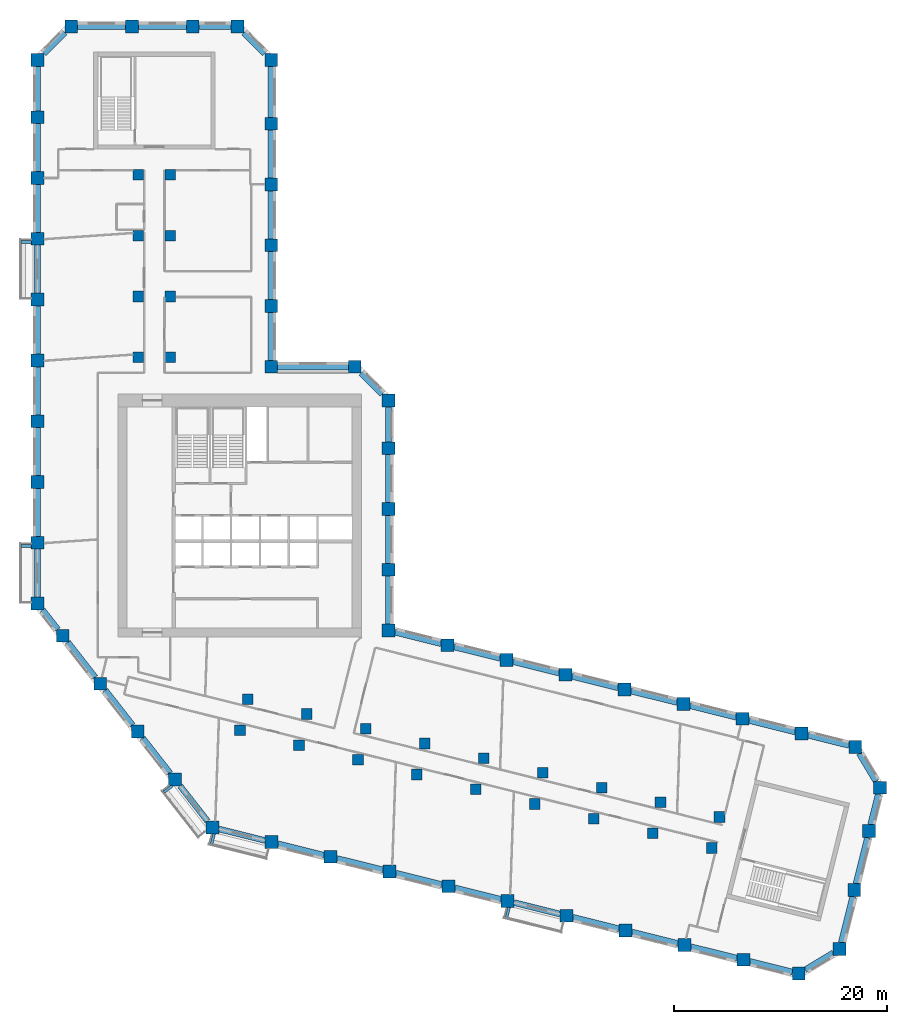
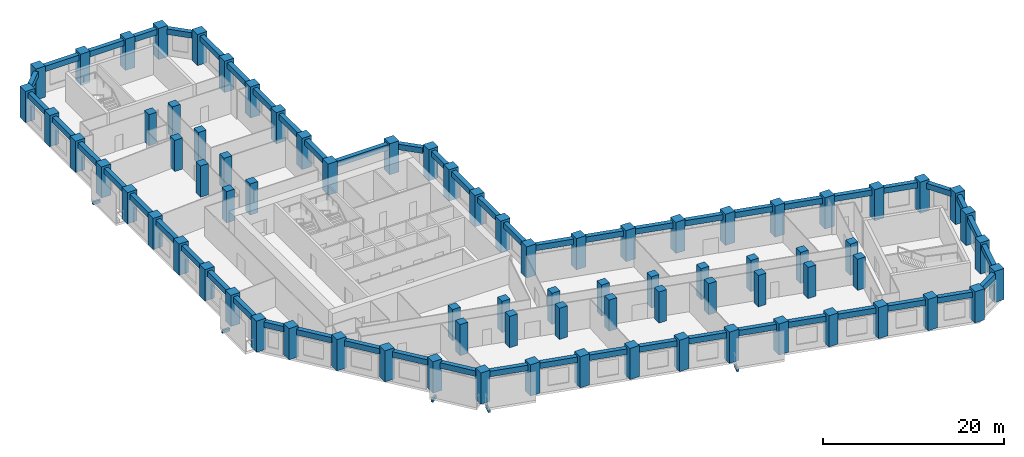
# One storey, part 1 of 10: 79 columns, 58 beams.
"""IFC4 building model written with IfcOpenShell, lengths in metres."""

import ifcopenshell
import ifcopenshell.guid

model = None  # the IFC model being written
_history = None  # IfcOwnerHistory: only IFC2X3 demands one
_inside = {}  # id of a spatial element -> (the spatial element, [elements in it])
_under = {}  # id of a project, library or spatial element -> (it, [spatial elements below it])
_declared = {}  # id of a project -> (the project, [libraries it declares])
_typed = {}  # id of a type object -> (the type object, [elements of that type])
_made_of = {}  # id of a material, layer set ... -> (it, [elements and type objects made of it])


def new_model(schema):
    """Start an empty IFC model of exactly this schema.

    Asked for "IFC4X3", IfcOpenShell would pick the latest addendum, in which some entities
    have other attributes; the version numbers below select the first issue.
    IFC2X3 requires an IfcOwnerHistory on every rooted entity: one is made here for all.
    """
    global model, _history
    if schema == "IFC4X3":
        model = ifcopenshell.file(schema_version=(4, 3, 0, 0))
    else:
        model = ifcopenshell.file(schema=schema)
    _inside.clear()
    _under.clear()
    _declared.clear()
    _typed.clear()
    _made_of.clear()
    _history = None
    if model.schema == "IFC2X3":
        org = make("IfcOrganization", Name="unknown")
        user = make(
            "IfcPersonAndOrganization",
            ThePerson=make("IfcPerson", FamilyName="unknown"),
            TheOrganization=org,
        )
        app = make(
            "IfcApplication",
            ApplicationDeveloper=org,
            Version="unknown",
            ApplicationFullName="unknown",
            ApplicationIdentifier="unknown",
        )
        _history = make(
            "IfcOwnerHistory",
            OwningUser=user,
            OwningApplication=app,
            ChangeAction="ADDED",
            CreationDate=0,
        )
    return model


def make(cls, **values):
    """One entity of the class cls with the attributes given. An attribute that is None is left unset."""
    return model.create_entity(
        cls, **{name: value for name, value in values.items() if value is not None}
    )


def rooted(cls, **values):
    """An entity with a GlobalId (a new one), such as an element, a storey or a relation."""
    return make(cls, GlobalId=ifcopenshell.guid.new(), OwnerHistory=_history, **values)


def si_unit(unit_type, name, prefix=None):
    """IfcSIUnit, for example si_unit("LENGTHUNIT", "METRE", prefix="MILLI")."""
    return make("IfcSIUnit", UnitType=unit_type, Prefix=prefix, Name=name)


def assignment(units):
    """IfcUnitAssignment: the units of a project."""
    return None if units is None else make("IfcUnitAssignment", Units=units)


def point(xyz):
    """IfcCartesianPoint."""
    return None if xyz is None else make("IfcCartesianPoint", Coordinates=xyz)


def direction(xyz):
    """IfcDirection."""
    return None if xyz is None else make("IfcDirection", DirectionRatios=xyz)


def frame(location, z_axis=None, x_axis=None):
    """IfcAxis2Placement3D, a coordinate frame: its origin and axes. An axis left out is left unset."""
    return make(
        "IfcAxis2Placement3D",
        Location=point(location),
        Axis=direction(z_axis),
        RefDirection=direction(x_axis),
    )


def frame_2d(location, x_axis=None):
    """IfcAxis2Placement2D, a coordinate frame in the plane: its origin and x axis."""
    return make(
        "IfcAxis2Placement2D", Location=point(location), RefDirection=direction(x_axis)
    )


def origin():
    """The frame at (0, 0, 0) with its axes left unset."""
    return frame((0.0, 0.0, 0.0))


def origin_2d():
    """The frame at (0, 0) in the plane with its x axis left unset."""
    return frame_2d((0.0, 0.0))


def place(relative_to, where):
    """IfcLocalPlacement: puts the frame where relative to a parent placement (None: the world)."""
    return make(
        "IfcLocalPlacement", PlacementRelTo=relative_to, RelativePlacement=where
    )


def context(
    kind, dimensions, precision=None, world=None, true_north=None, identifier=None
):
    """IfcGeometricRepresentationContext, for example the 3D "Model" context."""
    return make(
        "IfcGeometricRepresentationContext",
        ContextIdentifier=identifier,
        ContextType=kind,
        CoordinateSpaceDimension=dimensions,
        Precision=precision,
        WorldCoordinateSystem=world,
        TrueNorth=true_north,
    )


def subcontext(parent, identifier, kind, view, scale=None):
    """IfcGeometricRepresentationSubContext, for example "Body" below "Model"."""
    return make(
        "IfcGeometricRepresentationSubContext",
        ContextIdentifier=identifier,
        ContextType=kind,
        ParentContext=parent,
        TargetScale=scale,
        TargetView=view,
    )


def project(units=None, contexts=None):
    """IfcProject with its units and contexts."""
    return rooted(
        "IfcProject",
        Name="project",
        RepresentationContexts=contexts,
        UnitsInContext=assignment(units),
    )


def spatial(cls, under=None, at=None, **own):
    """A site, building, storey or space (cls), placed at a placement, below another one or the project."""
    s = rooted(cls, ObjectPlacement=at, **own)
    if under is not None:
        _under.setdefault(under.id(), (under, []))[1].append(s)
    return s


def profile(cls, at=None, kind="AREA", **sizes):
    """A parametric profile (cls). Its sizes go by their IFC names, for example OverallWidth=200.0."""
    return make(cls, ProfileType=kind, Position=at, **sizes)


def rectangle(**sizes):
    """IfcRectangleProfileDef."""
    return profile("IfcRectangleProfileDef", **sizes)


def extrude(swept, where, along, depth):
    """IfcExtrudedAreaSolid: the profile swept, set in the frame where, extruded along a direction by depth."""
    return make(
        "IfcExtrudedAreaSolid",
        SweptArea=swept,
        Position=where,
        ExtrudedDirection=direction(along),
        Depth=depth,
    )


def shape(context_of_items, identifier, shape_type, items):
    """IfcShapeRepresentation: the items that make up one representation, for example the "Body"."""
    return make(
        "IfcShapeRepresentation",
        ContextOfItems=context_of_items,
        RepresentationIdentifier=identifier,
        RepresentationType=shape_type,
        Items=items,
    )


def material(Name=None, Category=None):
    """IfcMaterial."""
    return make("IfcMaterial", Name=Name, Category=Category)


def material_profile(
    of_material, cross_section, Name=None, Category=None, Priority=None
):
    """IfcMaterialProfile: a cross section and its material."""
    return make(
        "IfcMaterialProfile",
        Name=Name,
        Material=of_material,
        Profile=cross_section,
        Priority=Priority,
        Category=Category,
    )


def profile_set(profiles, Name=None, composite=None):
    """IfcMaterialProfileSet."""
    return make(
        "IfcMaterialProfileSet",
        Name=Name,
        MaterialProfiles=profiles,
        CompositeProfile=composite,
    )


def made_of(thing, what):
    """Note that an element or type object is made of a material, layer set ...; save() writes the relation."""
    if what is not None:
        _made_of.setdefault(what.id(), (what, []))[1].append(thing)
    return thing


def type_object(cls, material=None, **own):
    """A type object (cls), such as IfcWallType, which elements share."""
    return made_of(rooted(cls, **own), material)


def element(
    cls,
    number,
    at=None,
    inside=None,
    cuts=None,
    type_object=None,
    material=None,
    context=None,
    identifier="Body",
    shape_type=None,
    held_by="IfcProductDefinitionShape",
    body=None,
    shapes=None,
    **own,
):
    """One element of the class cls, such as IfcWall. Its Tag is "e" and its number.

    at: its placement. inside: the storey or other place that contains it. cuts: it is an
    opening in that element (IfcRelVoidsElement). A single representation is given by context,
    identifier, shape_type and body (its items); several are given by shapes. held_by: the class
    of the entity that holds the representations. save() writes the other relations.
    """
    e = rooted(cls, Tag="e%d" % number, ObjectPlacement=at, **own)
    if body is not None:
        shapes = [shape(context, identifier, shape_type, body)]
    if shapes is not None:
        e.Representation = make(held_by, Representations=shapes)
    if inside is not None:
        _inside.setdefault(inside.id(), (inside, []))[1].append(e)
    if cuts is not None:
        rooted(
            "IfcRelVoidsElement", RelatingBuildingElement=cuts, RelatedOpeningElement=e
        )
    if type_object is not None:
        _typed.setdefault(type_object.id(), (type_object, []))[1].append(e)
    return made_of(e, material)


def aggregate(whole, parts):
    """IfcRelAggregates: a whole, such as a stair, and the parts it consists of."""
    return rooted("IfcRelAggregates", RelatingObject=whole, RelatedObjects=parts)


def save(model, path):
    """Write the relations noted so far, then the file.

    IfcRelAggregates (storeys below a building ...), IfcRelContainedInSpatialStructure (elements
    in a storey), IfcRelDefinesByType, IfcRelAssociatesMaterial and IfcRelDeclares: one each for
    every whole, place, type object, material and project.
    """
    for whole, parts in _under.values():
        aggregate(whole, parts)
    for where, things in _inside.values():
        rooted(
            "IfcRelContainedInSpatialStructure",
            RelatedElements=things,
            RelatingStructure=where,
        )
    for kind, things in _typed.values():
        rooted("IfcRelDefinesByType", RelatedObjects=things, RelatingType=kind)
    for what, things in _made_of.values():
        rooted("IfcRelAssociatesMaterial", RelatedObjects=things, RelatingMaterial=what)
    for by, libraries in _declared.values():
        rooted("IfcRelDeclares", RelatingContext=by, RelatedDefinitions=libraries)
    model.write(path)


model = new_model("IFC4")

# Units and contexts
model_context = context("Model", 3, precision=1e-05, world=origin(), true_north=direction((0.0, 1.0)))
body_context = subcontext(model_context, "Body", "Model", "MODEL_VIEW")
ifc_project = project(units=[si_unit("LENGTHUNIT", "METRE"), si_unit("AREAUNIT", "SQUARE_METRE"), si_unit("VOLUMEUNIT", "CUBIC_METRE"), si_unit("PLANEANGLEUNIT", "RADIAN"), si_unit("MASSUNIT", "GRAM", prefix="KILO")], contexts=[model_context])

# Site, building, storey
site_placement = place(None, origin())
site = spatial("IfcSite", under=ifc_project, at=site_placement, CompositionType="ELEMENT")
building_placement = place(site_placement, origin())
building = spatial("IfcBuilding", under=site, at=building_placement, Name="Meshkara Civic Tower", CompositionType="ELEMENT")
storey_placement = place(building_placement, frame((0.0, 0.0, 169.800048828125)))
storey = spatial("IfcBuildingStorey", under=building, at=storey_placement, Name="L38", CompositionType="ELEMENT", Elevation=169.800048828125)

# Columns
ifc_material_1 = material(Name="Concrete C70", Category="concrete")
ifc_material_profile_1 = material_profile(ifc_material_1, rectangle(XDim=1.0, YDim=1.0, at=origin_2d()))
ifc_profile_set_1 = profile_set([ifc_material_profile_1], Name="Concrete C70")
column_type_1 = type_object("IfcColumnType", Name="Interior column RC 1000x1000 C70", PredefinedType="COLUMN", material=ifc_profile_set_1)
for number, where, z_axis, x_axis, name in (
    (1, (9.89990234375, 40.35009765625, 0.0), (0.0, 0.0, 1.0), (1.0, 0.0, 0.0), "Column SA1-04 L38"),
    (2, (9.89990234375, 46.050048828125, 0.0), (0.0, 0.0, 1.0), (1.0, 0.0, 0.0), "Column SA1-05 L38"),
    (3, (9.89990234375, 51.75, 0.0), (0.0, 0.0, 1.0), (1.0, 0.0, 0.0), "Column SA1-06 L38"),
    (4, (9.89990234375, 57.449951171875, 0.0), (0.0, 0.0, 1.0), (1.0, 0.0, 0.0), "Column SA1-07 L38"),
    (5, (12.89990234375, 40.35009765625, 0.0), (0.0, 0.0, 1.0), (1.0, 0.0, 0.0), "Column SA2-04 L38"),
    (6, (12.89990234375, 46.050048828125, 0.0), (0.0, 0.0, 1.0), (1.0, 0.0, 0.0), "Column SA2-05 L38"),
    (7, (12.89990234375, 51.75, 0.0), (0.0, 0.0, 1.0), (1.0, 0.0, 0.0), "Column SA2-06 L38"),
    (8, (12.89990234375, 57.449951171875, 0.0), (0.0, 0.0, 1.0), (1.0, 0.0, 0.0), "Column SA2-07 L38"),
    (9, (19.424072265625, 5.360107421875, 0.0), (0.0, 0.0, 1.0), (1.0, 0.0, 0.0), "Column SB1-00 L38"),
    (10, (24.9541015625, 3.98095703125, 0.0), (0.0, 0.0, 1.0), (1.0, 0.0, 0.0), "Column SB1-01 L38"),
    (11, (30.485107421875, 2.60205078125, 0.0), (0.0, 0.0, 1.0), (1.0, 0.0, 0.0), "Column SB1-02 L38"),
    (12, (36.01611328125, 1.222900390625, 0.0), (0.0, 0.0, 1.0), (1.0, 0.0, 0.0), "Column SB1-03 L38"),
    (13, (41.5458984375, -0.156005859375, 0.0), (0.0, 0.0, 1.0), (1.0, 0.0, 0.0), "Column SB1-04 L38"),
    (14, (47.076904296875, -1.534912109375, 0.0), (0.0, 0.0, 1.0), (1.0, 0.0, 0.0), "Column SB1-05 L38"),
    (15, (52.60791015625, -2.9140625, 0.0), (0.0, 0.0, 1.0), (1.0, 0.0, 0.0), "Column SB1-06 L38"),
    (16, (58.138916015625, -4.2919921875, 0.0), (0.0, 0.0, 1.0), (1.0, 0.0, 0.0), "Column SB1-07 L38"),
    (17, (63.6689453125, -5.6708984375, 0.0), (0.0, 0.0, 1.0), (1.0, 0.0, 0.0), "Column SB1-08 L38"),
    (18, (20.14892578125, 8.27099609375, 0.0), (0.0, 0.0, 1.0), (1.0, 0.0, 0.0), "Column SB2-00 L38"),
    (19, (25.679931640625, 6.89208984375, 0.0), (0.0, 0.0, 1.0), (1.0, 0.0, 0.0), "Column SB2-01 L38"),
    (20, (31.2109375, 5.512939453125, 0.0), (0.0, 0.0, 1.0), (1.0, 0.0, 0.0), "Column SB2-02 L38"),
    (21, (36.741943359375, 4.134033203125, 0.0), (0.0, 0.0, 1.0), (1.0, 0.0, 0.0), "Column SB2-03 L38"),
    (22, (42.27197265625, 2.7548828125, 0.0), (0.0, 0.0, 1.0), (1.0, 0.0, 0.0), "Column SB2-04 L38"),
    (23, (47.802978515625, 1.3759765625, 0.0), (0.0, 0.0, 1.0), (1.0, 0.0, 0.0), "Column SB2-05 L38"),
    (24, (53.333984375, -0.0029296875, 0.0), (0.0, 0.0, 1.0), (1.0, 0.0, 0.0), "Column SB2-06 L38"),
    (25, (58.864013671875, -1.382080078125, 0.0), (0.0, 0.0, 1.0), (1.0, 0.0, 0.0), "Column SB2-07 L38"),
    (26, (64.39501953125, -2.760986328125, 0.0), (0.0, 0.0, 1.0), (1.0, 0.0, 0.0), "Column SB2-08 L38"),
):
    element("IfcColumn", number, at=place(storey_placement, frame(where, z_axis=z_axis, x_axis=x_axis)), inside=storey, type_object=column_type_1, Name=name, PredefinedType="COLUMN", context=body_context, shape_type="SweptSolid", body=[
        extrude(rectangle(XDim=1.0, YDim=1.0, at=origin_2d()), origin(), (0.0, 0.0, 1.0), 4.199951171875),
    ])
ifc_material_2 = material(Name="Concrete C70", Category="concrete")
ifc_material_profile_2 = material_profile(ifc_material_2, rectangle(XDim=1.199951171875, YDim=1.199951171875, at=origin_2d()))
ifc_profile_set_2 = profile_set([ifc_material_profile_2], Name="Concrete C70")
column_type_2 = type_object("IfcColumnType", Name="Perimeter column RC 1200x1200 C70", PredefinedType="COLUMN", material=ifc_profile_set_2)
for number, where, z_axis, x_axis, name in (
    (27, (33.35009765625, 14.718994140625, 0.0), (0.0, 0.0, 1.0), (1.0, 0.0, 0.0), "Column HE00 L38"),
    (28, (33.35009765625, 20.4189453125, 0.0), (0.0, 0.0, 1.0), (1.0, 0.0, 0.0), "Column HE01 L38"),
    (29, (33.35009765625, 26.118896484375, 0.0), (0.0, 0.0, 1.0), (1.0, 0.0, 0.0), "Column HE02 L38"),
    (30, (33.35009765625, 31.819091796875, 0.0), (0.0, 0.0, 1.0), (1.0, 0.0, 0.0), "Column HE03 L38"),
    (31, (33.35009765625, 36.2939453125, 0.0), (0.0, 0.0, 1.0), (1.0, 0.0, 0.0), "Column HEE L38"),
    (32, (30.194091796875, 39.449951171875, 0.0), (0.0, 0.0, 1.0), (1.0, 0.0, 0.0), "Column HCeE L38"),
    (33, (22.35009765625, 39.449951171875, 0.0), (0.0, 0.0, 1.0), (1.0, 0.0, 0.0), "Column HN00 L38"),
    (34, (22.35009765625, 45.14990234375, 0.0), (0.0, 0.0, 1.0), (1.0, 0.0, 0.0), "Column AE01 L38"),
    (35, (22.35009765625, 50.85009765625, 0.0), (0.0, 0.0, 1.0), (1.0, 0.0, 0.0), "Column AE02 L38"),
    (36, (22.35009765625, 56.550048828125, 0.0), (0.0, 0.0, 1.0), (1.0, 0.0, 0.0), "Column AE03 L38"),
    (37, (22.35009765625, 62.25, 0.0), (0.0, 0.0, 1.0), (1.0, 0.0, 0.0), "Column AE04 L38"),
    (38, (22.35009765625, 68.214111328125, 0.0), (0.0, 0.0, 1.0), (1.0, 0.0, 0.0), "Column AEEP2 L38"),
    (39, (19.194091796875, 71.3701171875, 0.0), (0.0, 0.0, 1.0), (1.0, 0.0, 0.0), "Column ATiEP2 L38"),
    (40, (3.60595703125, 71.3701171875, 0.0), (0.0, 0.0, 1.0), (1.0, 0.0, 0.0), "Column AT00-P2 L38"),
    (41, (9.305908203125, 71.3701171875, 0.0), (0.0, 0.0, 1.0), (1.0, 0.0, 0.0), "Column AT01-P2 L38"),
    (42, (15.006103515625, 71.3701171875, 0.0), (0.0, 0.0, 1.0), (1.0, 0.0, 0.0), "Column AT02-P2 L38"),
    (43, (0.449951171875, 68.214111328125, 0.0), (0.0, 0.0, 1.0), (1.0, 0.0, 0.0), "Column ATo00-P2 L38"),
    (44, (0.449951171875, 17.2548828125, 0.0), (0.0, 0.0, 1.0), (1.0, 0.0, 0.0), "Column AW00 L38"),
    (45, (0.449951171875, 22.955078125, 0.0), (0.0, 0.0, 1.0), (1.0, 0.0, 0.0), "Column AW01 L38"),
    (46, (0.449951171875, 28.655029296875, 0.0), (0.0, 0.0, 1.0), (1.0, 0.0, 0.0), "Column AW02 L38"),
    (47, (0.449951171875, 34.35498046875, 0.0), (0.0, 0.0, 1.0), (1.0, 0.0, 0.0), "Column AW03 L38"),
    (48, (0.449951171875, 40.054931640625, 0.0), (0.0, 0.0, 1.0), (1.0, 0.0, 0.0), "Column AW04 L38"),
    (49, (0.449951171875, 45.7548828125, 0.0), (0.0, 0.0, 1.0), (1.0, 0.0, 0.0), "Column AW05 L38"),
    (50, (0.449951171875, 51.455078125, 0.0), (0.0, 0.0, 1.0), (1.0, 0.0, 0.0), "Column AW06 L38"),
    (51, (0.449951171875, 57.155029296875, 0.0), (0.0, 0.0, 1.0), (1.0, 0.0, 0.0), "Column AW07 L38"),
    (52, (0.449951171875, 62.85498046875, 0.0), (0.0, 0.0, 1.0), (1.0, 0.0, 0.0), "Column AW08 L38"),
    (53, (16.85107421875, -3.738037109375, 0.0), (0.0, 0.0, 1.0), (1.0, 0.0, 0.0), "Column BOW00 L38"),
    (54, (13.342041015625, 0.75390625, 0.0), (0.0, 0.0, 1.0), (1.0, 0.0, 0.0), "Column BOW01 L38"),
    (55, (9.8330078125, 5.2451171875, 0.0), (0.0, 0.0, 1.0), (1.0, 0.0, 0.0), "Column BOW02 L38"),
    (56, (6.322998046875, 9.737060546875, 0.0), (0.0, 0.0, 1.0), (1.0, 0.0, 0.0), "Column BOW03 L38"),
    (57, (2.81396484375, 14.22900390625, 0.0), (0.0, 0.0, 1.0), (1.0, 0.0, 0.0), "Column BOW04 L38"),
    (58, (22.382080078125, -5.116943359375, 0.0), (0.0, 0.0, 1.0), (1.0, 0.0, 0.0), "Column BS01 L38"),
    (59, (27.912109375, -6.49609375, 0.0), (0.0, 0.0, 1.0), (1.0, 0.0, 0.0), "Column BS02 L38"),
    (60, (33.443115234375, -7.875, 0.0), (0.0, 0.0, 1.0), (1.0, 0.0, 0.0), "Column BS03 L38"),
    (61, (38.97412109375, -9.2529296875, 0.0), (0.0, 0.0, 1.0), (1.0, 0.0, 0.0), "Column BS04-P1 L38"),
    (62, (44.5048828125, -10.632080078125, 0.0), (0.0, 0.0, 1.0), (1.0, 0.0, 0.0), "Column BS05 L38"),
    (63, (50.034912109375, -12.010986328125, 0.0), (0.0, 0.0, 1.0), (1.0, 0.0, 0.0), "Column BS06 L38"),
    (64, (55.56591796875, -13.389892578125, 0.0), (0.0, 0.0, 1.0), (1.0, 0.0, 0.0), "Column BS07 L38"),
    (65, (61.096923828125, -14.76904296875, 0.0), (0.0, 0.0, 1.0), (1.0, 0.0, 0.0), "Column BS08 L38"),
    (66, (66.626953125, -16.14794921875, 0.0), (0.0, 0.0, 1.0), (1.0, 0.0, 0.0), "Column BS09 L38"),
    (67, (71.826904296875, -17.444091796875, 0.0), (0.0, 0.0, 1.0), (1.0, 0.0, 0.0), "Column BSEP2 L38"),
    (68, (75.653076171875, -15.14501953125, 0.0), (0.0, 0.0, 1.0), (1.0, 0.0, 0.0), "Column BToEP2 L38"),
    (69, (77.031982421875, -9.614013671875, 0.0), (0.0, 0.0, 1.0), (1.0, 0.0, 0.0), "Column BT01-P2 L38"),
    (70, (78.410888671875, -4.083984375, 0.0), (0.0, 0.0, 1.0), (1.0, 0.0, 0.0), "Column BT02-P2 L38"),
    (71, (79.424072265625, -0.02099609375, 0.0), (0.0, 0.0, 1.0), (1.0, 0.0, 0.0), "Column BTEP2 L38"),
    (72, (77.125, 3.803955078125, 0.0), (0.0, 0.0, 1.0), (1.0, 0.0, 0.0), "Column BTi00-P2 L38"),
    (73, (38.881103515625, 13.340087890625, 0.0), (0.0, 0.0, 1.0), (1.0, 0.0, 0.0), "Column BN01 L38"),
    (74, (44.410888671875, 11.9609375, 0.0), (0.0, 0.0, 1.0), (1.0, 0.0, 0.0), "Column BN02 L38"),
    (75, (49.94189453125, 10.58203125, 0.0), (0.0, 0.0, 1.0), (1.0, 0.0, 0.0), "Column BN03 L38"),
    (76, (55.472900390625, 9.202880859375, 0.0), (0.0, 0.0, 1.0), (1.0, 0.0, 0.0), "Column BN04 L38"),
    (77, (61.0029296875, 7.823974609375, 0.0), (0.0, 0.0, 1.0), (1.0, 0.0, 0.0), "Column BN05 L38"),
    (78, (66.533935546875, 6.445068359375, 0.0), (0.0, 0.0, 1.0), (1.0, 0.0, 0.0), "Column BN06 L38"),
    (79, (72.06494140625, 5.06591796875, 0.0), (0.0, 0.0, 1.0), (1.0, 0.0, 0.0), "Column BN07 L38"),
):
    element("IfcColumn", number, at=place(storey_placement, frame(where, z_axis=z_axis, x_axis=x_axis)), inside=storey, type_object=column_type_2, Name=name, PredefinedType="COLUMN", context=body_context, shape_type="SweptSolid", body=[
        extrude(rectangle(XDim=1.199951171875, YDim=1.199951171875, at=origin_2d()), origin(), (0.0, 0.0, 1.0), 4.199951171875),
    ])

# Beams
ifc_material_3 = material(Name="Concrete C50", Category="concrete")
ifc_material_profile_3 = material_profile(ifc_material_3, rectangle(XDim=0.25, YDim=0.39990234375, at=origin_2d()))
ifc_profile_set_3 = profile_set([ifc_material_profile_3], Name="Concrete C50")
beam_type_1 = type_object("IfcBeamType", Name="Balcony bracket beam RC 250x400 C50", PredefinedType="BEAM", material=ifc_profile_set_3)
for number, where, z_axis, x_axis, name in (
    (80, (-0.14501953125, 51.155029296875, -0.5), (-1.0, 0.0, 0.0), (0.0, -1.0, 0.0), "Balcony bracket beam"),
    (81, (-0.14501953125, 22.655029296875, -0.5), (-1.0, 0.0, 0.0), (0.0, -1.0, 0.0), "Balcony bracket beam"),
):
    element("IfcBeam", number, at=place(storey_placement, frame(where, z_axis=z_axis, x_axis=x_axis)), inside=storey, type_object=beam_type_1, Name=name, PredefinedType="BEAM", context=body_context, shape_type="SweptSolid", body=[
        extrude(rectangle(XDim=0.25, YDim=0.39990234375, at=origin_2d()), origin(), (0.0, 0.0, 1.0), 0.955078125),
    ])
beam_1_placement = place(storey_placement, frame((13.06494140625, 0.156982421875, -0.5), z_axis=(-0.787905405849, -0.615796290533, 0.0), x_axis=(0.615796290533, -0.787905405849, 0.0)))
element("IfcBeam", 82, at=beam_1_placement, inside=storey, type_object=beam_type_1, Name="Balcony bracket beam", PredefinedType="BEAM", context=body_context, shape_type="SweptSolid", body=[
    extrude(rectangle(XDim=0.25, YDim=0.39990234375, at=origin_2d()), origin(), (0.0, 0.0, 1.0), 0.964599609375),
])
beam_2_placement = place(storey_placement, frame((17.011962890625, -4.3330078125, -0.5), z_axis=(-0.242194710816, -0.970227665063, 0.0), x_axis=(0.970227665063, -0.242194710816, 0.0)))
element("IfcBeam", 83, at=beam_2_placement, inside=storey, type_object=beam_type_1, Name="Balcony bracket beam", PredefinedType="BEAM", context=body_context, shape_type="SweptSolid", body=[
    extrude(rectangle(XDim=0.25, YDim=0.39990234375, at=origin_2d()), origin(), (0.0, 0.0, 1.0), 1.010986328125),
])
beam_3_placement = place(storey_placement, frame((44.666015625, -11.22705078125, -0.5), z_axis=(-0.24219504991, -0.970227580416, 0.0), x_axis=(0.970227580416, -0.24219504991, 0.0)))
element("IfcBeam", 84, at=beam_3_placement, inside=storey, type_object=beam_type_1, Name="Balcony bracket beam", PredefinedType="BEAM", context=body_context, shape_type="SweptSolid", body=[
    extrude(rectangle(XDim=0.25, YDim=0.39990234375, at=origin_2d()), origin(), (0.0, 0.0, 1.0), 1.011962890625),
])
ifc_material_4 = material(Name="Concrete C60", Category="concrete")
ifc_material_profile_4 = material_profile(ifc_material_4, rectangle(XDim=0.550048828125, YDim=0.75, at=origin_2d()))
ifc_profile_set_4 = profile_set([ifc_material_profile_4], Name="Concrete C60")
beam_type_2 = type_object("IfcBeamType", Name="Spandrel beam RC 550x750 C60", PredefinedType="BEAM", material=ifc_profile_set_4)
for number, where, z_axis, x_axis, name in (
    (85, (71.469970703125, 5.21435546875, 3.52490234375), (-0.970296390995, 0.241919229543, 0.0), (-0.241919229543, -0.970296390995, 0.0), "Spandrel beam BN06-BN07"),
    (86, (65.93896484375, 6.593505859375, 3.52490234375), (-0.970309199754, 0.241867850018, 0.0), (-0.241867850018, -0.970309199754, 0.0), "Spandrel beam BN05-BN06"),
):
    element("IfcBeam", number, at=place(storey_placement, frame(where, z_axis=z_axis, x_axis=x_axis)), inside=storey, type_object=beam_type_2, Name=name, PredefinedType="BEAM", context=body_context, shape_type="SweptSolid", body=[
        extrude(rectangle(XDim=0.550048828125, YDim=0.75, at=origin_2d()), origin(), (0.0, 0.0, 1.0), 4.4736328125),
    ])
beam_4_placement = place(storey_placement, frame((60.407958984375, 7.972412109375, 3.52490234375), z_axis=(-0.970283611566, 0.241970479865, 0.0), x_axis=(-0.241970479865, -0.970283611566, 0.0)))
element("IfcBeam", 87, at=beam_4_placement, inside=storey, type_object=beam_type_2, Name="Spandrel beam BN04-BN05", PredefinedType="BEAM", context=body_context, shape_type="SweptSolid", body=[
    extrude(rectangle(XDim=0.550048828125, YDim=0.75, at=origin_2d()), origin(), (0.0, 0.0, 1.0), 4.47265625),
])
for number, where, z_axis, x_axis, name in (
    (88, (54.8779296875, 9.351318359375, 3.52490234375), (-0.970296390995, 0.241919229543, 0.0), (-0.241919229543, -0.970296390995, 0.0), "Spandrel beam BN03-BN04"),
    (89, (49.346923828125, 10.73046875, 3.52490234375), (-0.970309199754, 0.241867850018, 0.0), (-0.241867850018, -0.970309199754, 0.0), "Spandrel beam BN02-BN03"),
):
    element("IfcBeam", number, at=place(storey_placement, frame(where, z_axis=z_axis, x_axis=x_axis)), inside=storey, type_object=beam_type_2, Name=name, PredefinedType="BEAM", context=body_context, shape_type="SweptSolid", body=[
        extrude(rectangle(XDim=0.550048828125, YDim=0.75, at=origin_2d()), origin(), (0.0, 0.0, 1.0), 4.4736328125),
    ])
beam_5_placement = place(storey_placement, frame((43.81591796875, 12.109375, 3.52490234375), z_axis=(-0.970283611566, 0.241970479865, 0.0), x_axis=(-0.241970479865, -0.970283611566, 0.0)))
element("IfcBeam", 90, at=beam_5_placement, inside=storey, type_object=beam_type_2, Name="Spandrel beam BN01-BN02", PredefinedType="BEAM", context=body_context, shape_type="SweptSolid", body=[
    extrude(rectangle(XDim=0.550048828125, YDim=0.75, at=origin_2d()), origin(), (0.0, 0.0, 1.0), 4.47265625),
])
beam_6_placement = place(storey_placement, frame((38.285888671875, 13.48828125, 3.52490234375), z_axis=(-0.970296390995, 0.241919229543, 0.0), x_axis=(-0.241919229543, -0.970296390995, 0.0)))
element("IfcBeam", 91, at=beam_6_placement, inside=storey, type_object=beam_type_2, Name="Spandrel beam BN01-HE00", PredefinedType="BEAM", context=body_context, shape_type="SweptSolid", body=[
    extrude(rectangle(XDim=0.550048828125, YDim=0.75, at=origin_2d()), origin(), (0.0, 0.0, 1.0), 4.4736328125),
])
for number, where, z_axis, x_axis, name in (
    (92, (33.35009765625, 15.31396484375, 3.52490234375), (0.0, 1.0, 0.0), (-1.0, 0.0, 0.0), "Spandrel beam HE00-HE01"),
    (93, (33.35009765625, 21.013916015625, 3.52490234375), (0.0, 1.0, 0.0), (-1.0, 0.0, 0.0), "Spandrel beam HE01-HE02"),
    (94, (33.35009765625, 26.714111328125, 3.52490234375), (0.0, 1.0, 0.0), (-1.0, 0.0, 0.0), "Spandrel beam HE02-HE03"),
):
    element("IfcBeam", number, at=place(storey_placement, frame(where, z_axis=z_axis, x_axis=x_axis)), inside=storey, type_object=beam_type_2, Name=name, PredefinedType="BEAM", context=body_context, shape_type="SweptSolid", body=[
        extrude(rectangle(XDim=0.550048828125, YDim=0.75, at=origin_2d()), origin(), (0.0, 0.0, 1.0), 4.510009765625),
    ])
beam_7_placement = place(storey_placement, frame((33.35009765625, 32.4140625, 3.52490234375), z_axis=(0.0, 1.0, 0.0), x_axis=(-1.0, 0.0, 0.0)))
element("IfcBeam", 95, at=beam_7_placement, inside=storey, type_object=beam_type_2, Name="Spandrel beam HE03-HEE", PredefinedType="BEAM", context=body_context, shape_type="SweptSolid", body=[
    extrude(rectangle(XDim=0.550048828125, YDim=0.75, at=origin_2d()), origin(), (0.0, 0.0, 1.0), 3.284912109375),
])
beam_8_placement = place(storey_placement, frame((32.75341796875, 36.890380859375, 3.52490234375), z_axis=(-0.707062808252, 0.707150751387, 0.0), x_axis=(-0.707150751387, -0.707062808252, 0.0)))
element("IfcBeam", 96, at=beam_8_placement, inside=storey, type_object=beam_type_2, Name="Spandrel beam HCeE-HEE", PredefinedType="BEAM", context=body_context, shape_type="SweptSolid", body=[
    extrude(rectangle(XDim=0.550048828125, YDim=0.75, at=origin_2d()), origin(), (0.0, 0.0, 1.0), 2.776123046875),
])
beam_9_placement = place(storey_placement, frame((29.59912109375, 39.449951171875, 3.52490234375), z_axis=(-1.0, 0.0, 0.0), x_axis=(0.0, -1.0, 0.0)))
element("IfcBeam", 97, at=beam_9_placement, inside=storey, type_object=beam_type_2, Name="Spandrel beam HCeE-HN00", PredefinedType="BEAM", context=body_context, shape_type="SweptSolid", body=[
    extrude(rectangle(XDim=0.550048828125, YDim=0.75, at=origin_2d()), origin(), (0.0, 0.0, 1.0), 6.654052734375),
])
beam_10_placement = place(storey_placement, frame((22.35009765625, 40.044921875, 3.52490234375), z_axis=(0.0, 1.0, 0.0), x_axis=(-1.0, 0.0, 0.0)))
element("IfcBeam", 98, at=beam_10_placement, inside=storey, type_object=beam_type_2, Name="Spandrel beam AE01-HN00", PredefinedType="BEAM", context=body_context, shape_type="SweptSolid", body=[
    extrude(rectangle(XDim=0.550048828125, YDim=0.75, at=origin_2d()), origin(), (0.0, 0.0, 1.0), 4.510009765625),
])
beam_11_placement = place(storey_placement, frame((22.35009765625, 45.7451171875, 3.52490234375), z_axis=(0.0, 1.0, 0.0), x_axis=(-1.0, 0.0, 0.0)))
element("IfcBeam", 99, at=beam_11_placement, inside=storey, type_object=beam_type_2, Name="Spandrel beam AE01-AE02", PredefinedType="BEAM", context=body_context, shape_type="SweptSolid", body=[
    extrude(rectangle(XDim=0.550048828125, YDim=0.75, at=origin_2d()), origin(), (0.0, 0.0, 1.0), 4.509765625),
])
for number, where, z_axis, x_axis, name in (
    (100, (22.35009765625, 51.445068359375, 3.52490234375), (0.0, 1.0, 0.0), (-1.0, 0.0, 0.0), "Spandrel beam AE02-AE03"),
    (101, (22.35009765625, 57.14501953125, 3.52490234375), (0.0, 1.0, 0.0), (-1.0, 0.0, 0.0), "Spandrel beam AE03-AE04"),
):
    element("IfcBeam", number, at=place(storey_placement, frame(where, z_axis=z_axis, x_axis=x_axis)), inside=storey, type_object=beam_type_2, Name=name, PredefinedType="BEAM", context=body_context, shape_type="SweptSolid", body=[
        extrude(rectangle(XDim=0.550048828125, YDim=0.75, at=origin_2d()), origin(), (0.0, 0.0, 1.0), 4.510009765625),
    ])
beam_12_placement = place(storey_placement, frame((22.35009765625, 62.844970703125, 3.52490234375), z_axis=(0.0, 1.0, 0.0), x_axis=(-1.0, 0.0, 0.0)))
element("IfcBeam", 102, at=beam_12_placement, inside=storey, type_object=beam_type_2, Name="Spandrel beam AE04-AEEP2", PredefinedType="BEAM", context=body_context, shape_type="SweptSolid", body=[
    extrude(rectangle(XDim=0.550048828125, YDim=0.75, at=origin_2d()), origin(), (0.0, 0.0, 1.0), 4.77392578125),
])
beam_13_placement = place(storey_placement, frame((21.75341796875, 68.810546875, 3.52490234375), z_axis=(-0.707106781187, 0.707106781187, 0.0), x_axis=(-0.707106781187, -0.707106781187, 0.0)))
element("IfcBeam", 103, at=beam_13_placement, inside=storey, type_object=beam_type_2, Name="Spandrel beam AEEP2-ATiEP2", PredefinedType="BEAM", context=body_context, shape_type="SweptSolid", body=[
    extrude(rectangle(XDim=0.550048828125, YDim=0.75, at=origin_2d()), origin(), (0.0, 0.0, 1.0), 2.77587890625),
])
beam_14_placement = place(storey_placement, frame((18.59912109375, 71.3701171875, 3.52490234375), z_axis=(-1.0, 0.0, 0.0), x_axis=(0.0, -1.0, 0.0)))
element("IfcBeam", 104, at=beam_14_placement, inside=storey, type_object=beam_type_2, Name="Spandrel beam AT02-P2-ATiEP2", PredefinedType="BEAM", context=body_context, shape_type="SweptSolid", body=[
    extrude(rectangle(XDim=0.550048828125, YDim=0.75, at=origin_2d()), origin(), (0.0, 0.0, 1.0), 2.998046875),
])
for number, where, z_axis, x_axis, name in (
    (105, (14.410888671875, 71.3701171875, 3.52490234375), (-1.0, 0.0, 0.0), (0.0, -1.0, 0.0), "Spandrel beam AT01-P2-AT02-P2"),
    (106, (8.7109375, 71.3701171875, 3.52490234375), (-1.0, 0.0, 0.0), (0.0, -1.0, 0.0), "Spandrel beam AT00-P2-AT01-P2"),
):
    element("IfcBeam", number, at=place(storey_placement, frame(where, z_axis=z_axis, x_axis=x_axis)), inside=storey, type_object=beam_type_2, Name=name, PredefinedType="BEAM", context=body_context, shape_type="SweptSolid", body=[
        extrude(rectangle(XDim=0.550048828125, YDim=0.75, at=origin_2d()), origin(), (0.0, 0.0, 1.0), 4.510009765625),
    ])
beam_15_placement = place(storey_placement, frame((3.009521484375, 70.7734375, 3.52490234375), z_axis=(-0.707150751387, -0.707062808252, 0.0), x_axis=(0.707062808252, -0.707150751387, 0.0)))
element("IfcBeam", 107, at=beam_15_placement, inside=storey, type_object=beam_type_2, Name="Spandrel beam AT00-P2-ATo00-P2", PredefinedType="BEAM", context=body_context, shape_type="SweptSolid", body=[
    extrude(rectangle(XDim=0.550048828125, YDim=0.75, at=origin_2d()), origin(), (0.0, 0.0, 1.0), 2.776123046875),
])
beam_16_placement = place(storey_placement, frame((0.449951171875, 67.618896484375, 3.52490234375), z_axis=(0.0, -1.0, 0.0), x_axis=(1.0, 0.0, 0.0)))
element("IfcBeam", 108, at=beam_16_placement, inside=storey, type_object=beam_type_2, Name="Spandrel beam ATo00-P2-AW08", PredefinedType="BEAM", context=body_context, shape_type="SweptSolid", body=[
    extrude(rectangle(XDim=0.550048828125, YDim=0.75, at=origin_2d()), origin(), (0.0, 0.0, 1.0), 4.1689453125),
])
for number, where, z_axis, x_axis, name in (
    (109, (0.449951171875, 62.260009765625, 3.52490234375), (0.0, -1.0, 0.0), (1.0, 0.0, 0.0), "Spandrel beam AW07-AW08"),
    (110, (0.449951171875, 56.56005859375, 3.52490234375), (0.0, -1.0, 0.0), (1.0, 0.0, 0.0), "Spandrel beam AW06-AW07"),
    (111, (0.449951171875, 50.860107421875, 3.52490234375), (0.0, -1.0, 0.0), (1.0, 0.0, 0.0), "Spandrel beam AW05-AW06"),
    (112, (0.449951171875, 45.159912109375, 3.52490234375), (0.0, -1.0, 0.0), (1.0, 0.0, 0.0), "Spandrel beam AW04-AW05"),
    (113, (0.449951171875, 39.4599609375, 3.52490234375), (0.0, -1.0, 0.0), (1.0, 0.0, 0.0), "Spandrel beam AW03-AW04"),
    (114, (0.449951171875, 33.760009765625, 3.52490234375), (0.0, -1.0, 0.0), (1.0, 0.0, 0.0), "Spandrel beam AW02-AW03"),
    (115, (0.449951171875, 28.06005859375, 3.52490234375), (0.0, -1.0, 0.0), (1.0, 0.0, 0.0), "Spandrel beam AW01-AW02"),
    (116, (0.449951171875, 22.360107421875, 3.52490234375), (0.0, -1.0, 0.0), (1.0, 0.0, 0.0), "Spandrel beam AW00-AW01"),
):
    element("IfcBeam", number, at=place(storey_placement, frame(where, z_axis=z_axis, x_axis=x_axis)), inside=storey, type_object=beam_type_2, Name=name, PredefinedType="BEAM", context=body_context, shape_type="SweptSolid", body=[
        extrude(rectangle(XDim=0.550048828125, YDim=0.75, at=origin_2d()), origin(), (0.0, 0.0, 1.0), 4.510009765625),
    ])
beam_17_placement = place(storey_placement, frame((0.915771484375, 16.658935546875, 3.52490234375), z_axis=(0.615646077935, -0.788022783124, 0.0), x_axis=(0.788022783124, 0.615646077935, 0.0)))
element("IfcBeam", 117, at=beam_17_placement, inside=storey, type_object=beam_type_2, Name="Spandrel beam AW00-BOW04", PredefinedType="BEAM", context=body_context, shape_type="SweptSolid", body=[
    extrude(rectangle(XDim=0.550048828125, YDim=0.75, at=origin_2d()), origin(), (0.0, 0.0, 1.0), 2.326904296875),
])
beam_18_placement = place(storey_placement, frame((3.279541015625, 13.6328125, 3.52490234375), z_axis=(0.615630464754, -0.788034980738, 0.0), x_axis=(0.788034980738, 0.615630464754, 0.0)))
element("IfcBeam", 118, at=beam_18_placement, inside=storey, type_object=beam_type_2, Name="Spandrel beam BOW03-BOW04", PredefinedType="BEAM", context=body_context, shape_type="SweptSolid", body=[
    extrude(rectangle(XDim=0.550048828125, YDim=0.75, at=origin_2d()), origin(), (0.0, 0.0, 1.0), 4.1875),
])
beam_19_placement = place(storey_placement, frame((6.788818359375, 9.140869140625, 3.52490234375), z_axis=(0.61570287025, -0.787978410596, 0.0), x_axis=(0.787978410596, 0.61570287025, 0.0)))
element("IfcBeam", 119, at=beam_19_placement, inside=storey, type_object=beam_type_2, Name="Spandrel beam BOW02-BOW03", PredefinedType="BEAM", context=body_context, shape_type="SweptSolid", body=[
    extrude(rectangle(XDim=0.550048828125, YDim=0.75, at=origin_2d()), origin(), (0.0, 0.0, 1.0), 4.187744140625),
])
beam_20_placement = place(storey_placement, frame((10.298583984375, 4.64892578125, 3.52490234375), z_axis=(0.615707413829, -0.787974860358, 0.0), x_axis=(0.787974860358, 0.615707413829, 0.0)))
element("IfcBeam", 120, at=beam_20_placement, inside=storey, type_object=beam_type_2, Name="Spandrel beam BOW01-BOW02", PredefinedType="BEAM", context=body_context, shape_type="SweptSolid", body=[
    extrude(rectangle(XDim=0.550048828125, YDim=0.75, at=origin_2d()), origin(), (0.0, 0.0, 1.0), 4.1865234375),
])
beam_21_placement = place(storey_placement, frame((13.8076171875, 0.157958984375, 3.52490234375), z_axis=(0.615630464754, -0.788034980738, 0.0), x_axis=(0.788034980738, 0.615630464754, 0.0)))
element("IfcBeam", 121, at=beam_21_placement, inside=storey, type_object=beam_type_2, Name="Spandrel beam BOW00-BOW01", PredefinedType="BEAM", context=body_context, shape_type="SweptSolid", body=[
    extrude(rectangle(XDim=0.550048828125, YDim=0.75, at=origin_2d()), origin(), (0.0, 0.0, 1.0), 4.1875),
])
beam_22_placement = place(storey_placement, frame((17.446044921875, -3.886474609375, 3.52490234375), z_axis=(0.970309199754, -0.241867850018, 0.0), x_axis=(0.241867850018, 0.970309199754, 0.0)))
element("IfcBeam", 122, at=beam_22_placement, inside=storey, type_object=beam_type_2, Name="Spandrel beam BOW00-BS01", PredefinedType="BEAM", context=body_context, shape_type="SweptSolid", body=[
    extrude(rectangle(XDim=0.550048828125, YDim=0.75, at=origin_2d()), origin(), (0.0, 0.0, 1.0), 4.4736328125),
])
beam_23_placement = place(storey_placement, frame((22.97705078125, -5.265380859375, 3.52490234375), z_axis=(0.970283611566, -0.241970479865, 0.0), x_axis=(0.241970479865, 0.970283611566, 0.0)))
element("IfcBeam", 123, at=beam_23_placement, inside=storey, type_object=beam_type_2, Name="Spandrel beam BS01-BS02", PredefinedType="BEAM", context=body_context, shape_type="SweptSolid", body=[
    extrude(rectangle(XDim=0.550048828125, YDim=0.75, at=origin_2d()), origin(), (0.0, 0.0, 1.0), 4.47265625),
])
for number, where, z_axis, x_axis, name in (
    (124, (28.507080078125, -6.644287109375, 3.52490234375), (0.970296390995, -0.241919229543, 0.0), (0.241919229543, 0.970296390995, 0.0), "Spandrel beam BS02-BS03"),
    (125, (34.0380859375, -8.023193359375, 3.52490234375), (0.970334810126, -0.241765084863, 0.0), (0.241765084863, 0.970334810126, 0.0), "Spandrel beam BS03-BS04-P1"),
    (126, (39.569091796875, -9.4013671875, 3.52490234375), (0.970296390995, -0.241919229543, 0.0), (0.241919229543, 0.970296390995, 0.0), "Spandrel beam BS04-P1-BS05"),
):
    element("IfcBeam", number, at=place(storey_placement, frame(where, z_axis=z_axis, x_axis=x_axis)), inside=storey, type_object=beam_type_2, Name=name, PredefinedType="BEAM", context=body_context, shape_type="SweptSolid", body=[
        extrude(rectangle(XDim=0.550048828125, YDim=0.75, at=origin_2d()), origin(), (0.0, 0.0, 1.0), 4.4736328125),
    ])
beam_24_placement = place(storey_placement, frame((45.10009765625, -10.780517578125, 3.52490234375), z_axis=(0.970296425585, -0.241919090807, 0.0), x_axis=(0.241919090807, 0.970296425585, 0.0)))
element("IfcBeam", 127, at=beam_24_placement, inside=storey, type_object=beam_type_2, Name="Spandrel beam BS05-BS06", PredefinedType="BEAM", context=body_context, shape_type="SweptSolid", body=[
    extrude(rectangle(XDim=0.550048828125, YDim=0.75, at=origin_2d()), origin(), (0.0, 0.0, 1.0), 4.47265625),
])
for number, where, z_axis, x_axis, name in (
    (128, (50.630126953125, -12.159423828125, 3.52490234375), (0.970296390995, -0.241919229543, 0.0), (0.241919229543, 0.970296390995, 0.0), "Spandrel beam BS06-BS07"),
    (129, (56.1611328125, -13.538330078125, 3.52490234375), (0.970296390995, -0.241919229543, 0.0), (0.241919229543, 0.970296390995, 0.0), "Spandrel beam BS07-BS08"),
):
    element("IfcBeam", number, at=place(storey_placement, frame(where, z_axis=z_axis, x_axis=x_axis)), inside=storey, type_object=beam_type_2, Name=name, PredefinedType="BEAM", context=body_context, shape_type="SweptSolid", body=[
        extrude(rectangle(XDim=0.550048828125, YDim=0.75, at=origin_2d()), origin(), (0.0, 0.0, 1.0), 4.4736328125),
    ])
beam_25_placement = place(storey_placement, frame((61.692138671875, -14.91748046875, 3.52490234375), z_axis=(0.970296425585, -0.241919090807, 0.0), x_axis=(0.241919090807, 0.970296425585, 0.0)))
element("IfcBeam", 130, at=beam_25_placement, inside=storey, type_object=beam_type_2, Name="Spandrel beam BS08-BS09", PredefinedType="BEAM", context=body_context, shape_type="SweptSolid", body=[
    extrude(rectangle(XDim=0.550048828125, YDim=0.75, at=origin_2d()), origin(), (0.0, 0.0, 1.0), 4.47265625),
])
beam_26_placement = place(storey_placement, frame((67.22216796875, -16.29638671875, 3.52490234375), z_axis=(0.970322944839, -0.241812701731, 0.0), x_axis=(0.241812701731, 0.970322944839, 0.0)))
element("IfcBeam", 131, at=beam_26_placement, inside=storey, type_object=beam_type_2, Name="Spandrel beam BS09-BSEP2", PredefinedType="BEAM", context=body_context, shape_type="SweptSolid", body=[
    extrude(rectangle(XDim=0.550048828125, YDim=0.75, at=origin_2d()), origin(), (0.0, 0.0, 1.0), 4.13232421875),
])
beam_27_placement = place(storey_placement, frame((72.422607421875, -17.0859375, 3.52490234375), z_axis=(0.85718440509, 0.515009607358, 0.0), x_axis=(-0.515009607358, 0.85718440509, 0.0)))
element("IfcBeam", 132, at=beam_27_placement, inside=storey, type_object=beam_type_2, Name="Spandrel beam BSEP2-BToEP2", PredefinedType="BEAM", context=body_context, shape_type="SweptSolid", body=[
    extrude(rectangle(XDim=0.550048828125, YDim=0.75, at=origin_2d()), origin(), (0.0, 0.0, 1.0), 3.07373046875),
])
beam_28_placement = place(storey_placement, frame((75.801513671875, -14.5498046875, 3.52490234375), z_axis=(0.241867850018, 0.970309199754, 0.0), x_axis=(-0.970309199754, 0.241867850018, 0.0)))
element("IfcBeam", 133, at=beam_28_placement, inside=storey, type_object=beam_type_2, Name="Spandrel beam BT01-P2-BToEP2", PredefinedType="BEAM", context=body_context, shape_type="SweptSolid", body=[
    extrude(rectangle(XDim=0.550048828125, YDim=0.75, at=origin_2d()), origin(), (0.0, 0.0, 1.0), 4.4736328125),
])
beam_29_placement = place(storey_placement, frame((77.180419921875, -9.018798828125, 3.52490234375), z_axis=(0.241983295733, 0.97028041544, 0.0), x_axis=(-0.97028041544, 0.241983295733, 0.0)))
element("IfcBeam", 134, at=beam_29_placement, inside=storey, type_object=beam_type_2, Name="Spandrel beam BT01-P2-BT02-P2", PredefinedType="BEAM", context=body_context, shape_type="SweptSolid", body=[
    extrude(rectangle(XDim=0.550048828125, YDim=0.75, at=origin_2d()), origin(), (0.0, 0.0, 1.0), 4.472412109375),
])
beam_30_placement = place(storey_placement, frame((78.559326171875, -3.489013671875, 3.52490234375), z_axis=(0.241934114249, 0.970292679743, 0.0), x_axis=(-0.970292679743, 0.241934114249, 0.0)))
element("IfcBeam", 135, at=beam_30_placement, inside=storey, type_object=beam_type_2, Name="Spandrel beam BT02-P2-BTEP2", PredefinedType="BEAM", context=body_context, shape_type="SweptSolid", body=[
    extrude(rectangle(XDim=0.550048828125, YDim=0.75, at=origin_2d()), origin(), (0.0, 0.0, 1.0), 2.960693359375),
])
beam_31_placement = place(storey_placement, frame((79.06591796875, 0.57470703125, 3.52490234375), z_axis=(-0.515126606613, 0.857114099265, 0.0), x_axis=(-0.857114099265, -0.515126606613, 0.0)))
element("IfcBeam", 136, at=beam_31_placement, inside=storey, type_object=beam_type_2, Name="Spandrel beam BTEP2-BTi00-P2", PredefinedType="BEAM", context=body_context, shape_type="SweptSolid", body=[
    extrude(rectangle(XDim=0.550048828125, YDim=0.75, at=origin_2d()), origin(), (0.0, 0.0, 1.0), 3.072509765625),
])
beam_32_placement = place(storey_placement, frame((76.52978515625, 3.952392578125, 3.52490234375), z_axis=(-0.970279182293, 0.241988240227, 0.0), x_axis=(-0.241988240227, -0.970279182293, 0.0)))
element("IfcBeam", 137, at=beam_32_placement, inside=storey, type_object=beam_type_2, Name="Spandrel beam BN07-BTi00-P2", PredefinedType="BEAM", context=body_context, shape_type="SweptSolid", body=[
    extrude(rectangle(XDim=0.550048828125, YDim=0.75, at=origin_2d()), origin(), (0.0, 0.0, 1.0), 3.98828125),
])

save(model, "model.ifc")
